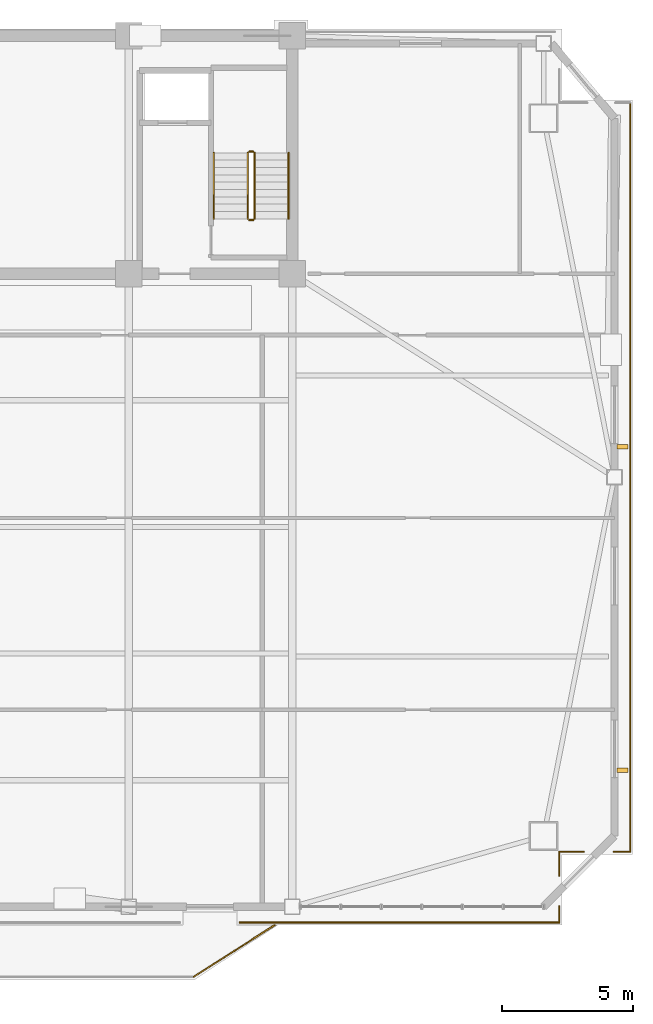
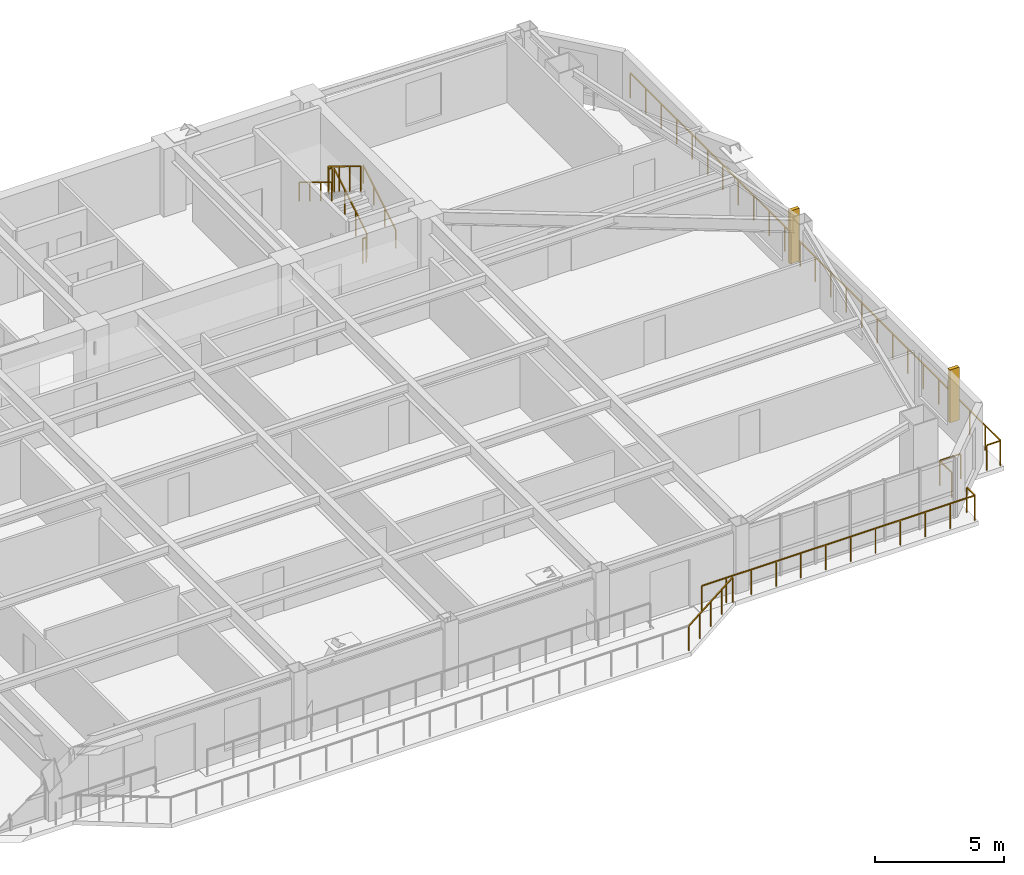
# One storey, part 15 of 16: 13 railings, 2 shading devices.
"""IFC4 building model written with IfcOpenShell, lengths in metres."""

import ifcopenshell
import ifcopenshell.guid

model = None  # the IFC model being written
_history = None  # IfcOwnerHistory: only IFC2X3 demands one
_inside = {}  # id of a spatial element -> (the spatial element, [elements in it])
_under = {}  # id of a project, library or spatial element -> (it, [spatial elements below it])
_declared = {}  # id of a project -> (the project, [libraries it declares])
_typed = {}  # id of a type object -> (the type object, [elements of that type])
_made_of = {}  # id of a material, layer set ... -> (it, [elements and type objects made of it])


def new_model(schema):
    """Start an empty IFC model of exactly this schema.

    Asked for "IFC4X3", IfcOpenShell would pick the latest addendum, in which some entities
    have other attributes; the version numbers below select the first issue.
    IFC2X3 requires an IfcOwnerHistory on every rooted entity: one is made here for all.
    """
    global model, _history
    if schema == "IFC4X3":
        model = ifcopenshell.file(schema_version=(4, 3, 0, 0))
    else:
        model = ifcopenshell.file(schema=schema)
    _inside.clear()
    _under.clear()
    _declared.clear()
    _typed.clear()
    _made_of.clear()
    _history = None
    if model.schema == "IFC2X3":
        org = make("IfcOrganization", Name="unknown")
        user = make(
            "IfcPersonAndOrganization",
            ThePerson=make("IfcPerson", FamilyName="unknown"),
            TheOrganization=org,
        )
        app = make(
            "IfcApplication",
            ApplicationDeveloper=org,
            Version="unknown",
            ApplicationFullName="unknown",
            ApplicationIdentifier="unknown",
        )
        _history = make(
            "IfcOwnerHistory",
            OwningUser=user,
            OwningApplication=app,
            ChangeAction="ADDED",
            CreationDate=0,
        )
    return model


def make(cls, **values):
    """One entity of the class cls with the attributes given. An attribute that is None is left unset."""
    return model.create_entity(
        cls, **{name: value for name, value in values.items() if value is not None}
    )


def rooted(cls, **values):
    """An entity with a GlobalId (a new one), such as an element, a storey or a relation."""
    return make(cls, GlobalId=ifcopenshell.guid.new(), OwnerHistory=_history, **values)


def si_unit(unit_type, name, prefix=None):
    """IfcSIUnit, for example si_unit("LENGTHUNIT", "METRE", prefix="MILLI")."""
    return make("IfcSIUnit", UnitType=unit_type, Prefix=prefix, Name=name)


def assignment(units):
    """IfcUnitAssignment: the units of a project."""
    return None if units is None else make("IfcUnitAssignment", Units=units)


def point(xyz):
    """IfcCartesianPoint."""
    return None if xyz is None else make("IfcCartesianPoint", Coordinates=xyz)


def direction(xyz):
    """IfcDirection."""
    return None if xyz is None else make("IfcDirection", DirectionRatios=xyz)


def frame(location, z_axis=None, x_axis=None):
    """IfcAxis2Placement3D, a coordinate frame: its origin and axes. An axis left out is left unset."""
    return make(
        "IfcAxis2Placement3D",
        Location=point(location),
        Axis=direction(z_axis),
        RefDirection=direction(x_axis),
    )


def frame_2d(location, x_axis=None):
    """IfcAxis2Placement2D, a coordinate frame in the plane: its origin and x axis."""
    return make(
        "IfcAxis2Placement2D", Location=point(location), RefDirection=direction(x_axis)
    )


def origin():
    """The frame at (0, 0, 0) with its axes left unset."""
    return frame((0.0, 0.0, 0.0))


def origin_2d():
    """The frame at (0, 0) in the plane with its x axis left unset."""
    return frame_2d((0.0, 0.0))


def place(relative_to, where):
    """IfcLocalPlacement: puts the frame where relative to a parent placement (None: the world)."""
    return make(
        "IfcLocalPlacement", PlacementRelTo=relative_to, RelativePlacement=where
    )


def context(
    kind, dimensions, precision=None, world=None, true_north=None, identifier=None
):
    """IfcGeometricRepresentationContext, for example the 3D "Model" context."""
    return make(
        "IfcGeometricRepresentationContext",
        ContextIdentifier=identifier,
        ContextType=kind,
        CoordinateSpaceDimension=dimensions,
        Precision=precision,
        WorldCoordinateSystem=world,
        TrueNorth=true_north,
    )


def subcontext(parent, identifier, kind, view, scale=None):
    """IfcGeometricRepresentationSubContext, for example "Body" below "Model"."""
    return make(
        "IfcGeometricRepresentationSubContext",
        ContextIdentifier=identifier,
        ContextType=kind,
        ParentContext=parent,
        TargetScale=scale,
        TargetView=view,
    )


def project(units=None, contexts=None):
    """IfcProject with its units and contexts."""
    return rooted(
        "IfcProject",
        Name="project",
        RepresentationContexts=contexts,
        UnitsInContext=assignment(units),
    )


def spatial(cls, under=None, at=None, **own):
    """A site, building, storey or space (cls), placed at a placement, below another one or the project."""
    s = rooted(cls, ObjectPlacement=at, **own)
    if under is not None:
        _under.setdefault(under.id(), (under, []))[1].append(s)
    return s


def profile(cls, at=None, kind="AREA", **sizes):
    """A parametric profile (cls). Its sizes go by their IFC names, for example OverallWidth=200.0."""
    return make(cls, ProfileType=kind, Position=at, **sizes)


def rectangle(**sizes):
    """IfcRectangleProfileDef."""
    return profile("IfcRectangleProfileDef", **sizes)


def extrude(swept, where, along, depth):
    """IfcExtrudedAreaSolid: the profile swept, set in the frame where, extruded along a direction by depth."""
    return make(
        "IfcExtrudedAreaSolid",
        SweptArea=swept,
        Position=where,
        ExtrudedDirection=direction(along),
        Depth=depth,
    )


def shape(context_of_items, identifier, shape_type, items):
    """IfcShapeRepresentation: the items that make up one representation, for example the "Body"."""
    return make(
        "IfcShapeRepresentation",
        ContextOfItems=context_of_items,
        RepresentationIdentifier=identifier,
        RepresentationType=shape_type,
        Items=items,
    )


def source(mapping_origin, context_of_items, identifier, shape_type, items):
    """IfcRepresentationMap: a shape defined once, which mapped items show again and again."""
    return make(
        "IfcRepresentationMap",
        MappingOrigin=mapping_origin,
        MappedRepresentation=shape(context_of_items, identifier, shape_type, items),
    )


def transform(
    local_origin,
    x_axis=None,
    y_axis=None,
    z_axis=None,
    scale=None,
    scale2=None,
    scale3=None,
    uniform=True,
):
    """IfcCartesianTransformationOperator3D, or its non-uniform kind. x_axis, y_axis, z_axis: its Axis1, 2, 3."""
    if uniform:
        return make(
            "IfcCartesianTransformationOperator3D",
            Axis1=direction(x_axis),
            Axis2=direction(y_axis),
            LocalOrigin=point(local_origin),
            Scale=scale,
            Axis3=direction(z_axis),
        )
    return make(
        "IfcCartesianTransformationOperator3DnonUniform",
        Axis1=direction(x_axis),
        Axis2=direction(y_axis),
        LocalOrigin=point(local_origin),
        Scale=scale,
        Axis3=direction(z_axis),
        Scale2=scale2,
        Scale3=scale3,
    )


def mapped(mapping_source, mapping_target):
    """IfcMappedItem: shows the shape of a source again, moved by a transform."""
    return make(
        "IfcMappedItem", MappingSource=mapping_source, MappingTarget=mapping_target
    )


def material(Name=None, Category=None):
    """IfcMaterial."""
    return make("IfcMaterial", Name=Name, Category=Category)


def made_of(thing, what):
    """Note that an element or type object is made of a material, layer set ...; save() writes the relation."""
    if what is not None:
        _made_of.setdefault(what.id(), (what, []))[1].append(thing)
    return thing


def type_object(cls, material=None, **own):
    """A type object (cls), such as IfcWallType, which elements share."""
    return made_of(rooted(cls, **own), material)


def element(
    cls,
    number,
    at=None,
    inside=None,
    cuts=None,
    type_object=None,
    material=None,
    context=None,
    identifier="Body",
    shape_type=None,
    held_by="IfcProductDefinitionShape",
    body=None,
    shapes=None,
    **own,
):
    """One element of the class cls, such as IfcWall. Its Tag is "e" and its number.

    at: its placement. inside: the storey or other place that contains it. cuts: it is an
    opening in that element (IfcRelVoidsElement). A single representation is given by context,
    identifier, shape_type and body (its items); several are given by shapes. held_by: the class
    of the entity that holds the representations. save() writes the other relations.
    """
    e = rooted(cls, Tag="e%d" % number, ObjectPlacement=at, **own)
    if body is not None:
        shapes = [shape(context, identifier, shape_type, body)]
    if shapes is not None:
        e.Representation = make(held_by, Representations=shapes)
    if inside is not None:
        _inside.setdefault(inside.id(), (inside, []))[1].append(e)
    if cuts is not None:
        rooted(
            "IfcRelVoidsElement", RelatingBuildingElement=cuts, RelatedOpeningElement=e
        )
    if type_object is not None:
        _typed.setdefault(type_object.id(), (type_object, []))[1].append(e)
    return made_of(e, material)


def aggregate(whole, parts):
    """IfcRelAggregates: a whole, such as a stair, and the parts it consists of."""
    return rooted("IfcRelAggregates", RelatingObject=whole, RelatedObjects=parts)


def save(model, path):
    """Write the relations noted so far, then the file.

    IfcRelAggregates (storeys below a building ...), IfcRelContainedInSpatialStructure (elements
    in a storey), IfcRelDefinesByType, IfcRelAssociatesMaterial and IfcRelDeclares: one each for
    every whole, place, type object, material and project.
    """
    for whole, parts in _under.values():
        aggregate(whole, parts)
    for where, things in _inside.values():
        rooted(
            "IfcRelContainedInSpatialStructure",
            RelatedElements=things,
            RelatingStructure=where,
        )
    for kind, things in _typed.values():
        rooted("IfcRelDefinesByType", RelatedObjects=things, RelatingType=kind)
    for what, things in _made_of.values():
        rooted("IfcRelAssociatesMaterial", RelatedObjects=things, RelatingMaterial=what)
    for by, libraries in _declared.values():
        rooted("IfcRelDeclares", RelatingContext=by, RelatedDefinitions=libraries)
    model.write(path)


model = new_model("IFC4")

# Units and contexts
model_context = context("Model", 3, precision=1e-05, world=origin(), true_north=direction((0.0, 1.0)))
body_context = subcontext(model_context, "Body", "Model", "MODEL_VIEW")
ifc_project = project(units=[si_unit("LENGTHUNIT", "METRE"), si_unit("AREAUNIT", "SQUARE_METRE"), si_unit("VOLUMEUNIT", "CUBIC_METRE"), si_unit("PLANEANGLEUNIT", "RADIAN"), si_unit("MASSUNIT", "GRAM", prefix="KILO")], contexts=[model_context])

# Site, building, storey
site_placement = place(None, origin())
site = spatial("IfcSite", under=ifc_project, at=site_placement, CompositionType="ELEMENT")
building_placement = place(site_placement, origin())
building = spatial("IfcBuilding", under=site, at=building_placement, Name="Giltprow Tower", CompositionType="ELEMENT")
storey_placement = place(building_placement, frame((0.0, 0.0, 227.0)))
storey = spatial("IfcBuildingStorey", under=building, at=storey_placement, Name="L57", CompositionType="ELEMENT", Elevation=227.0)

# Railings
ifc_material = material(Name="Anodized bronze", Category="metal")
railing_type_1 = type_object("IfcRailingType", Name="RAIL-BALC-GUARD-1200", PredefinedType="BALUSTRADE", material=ifc_material)
railing_1_placement = place(storey_placement, frame((46.780029296875, 10.570068359375, 0.0)))
element("IfcRailing", 1, at=railing_1_placement, inside=storey, type_object=railing_type_1, Name="L57 Waterfront Balcony Balustrade Seg 3", PredefinedType="BALUSTRADE", context=body_context, shape_type="SweptSolid", body=[
    extrude(rectangle(XDim=0.048095703125, YDim=0.048095703125, at=origin_2d()), frame((0.0, 0.0, 1.17578125), z_axis=(0.842755646126, 0.538296313309, 0.0), x_axis=(-0.538296313309, 0.842755646126, 0.0)), (0.0, 0.0, 1.0), 3.67822265625),
    extrude(rectangle(XDim=0.0419921875, YDim=0.0419921875, at=origin_2d()), origin(), (0.0, 0.0, 1.0), 1.15185546875),
    extrude(rectangle(XDim=0.0419921875, YDim=0.0419921875, at=origin_2d()), frame((0.77490234375, 0.4951171875, 0.0)), (0.0, 0.0, 1.0), 1.15185546875),
    extrude(rectangle(XDim=0.0419921875, YDim=0.0419921875, at=origin_2d()), frame((1.5498046875, 0.989990234375, 0.0)), (0.0, 0.0, 1.0), 1.15185546875),
    extrude(rectangle(XDim=0.0419921875, YDim=0.0419921875, at=origin_2d()), frame((2.324951171875, 1.48486328125, 0.0)), (0.0, 0.0, 1.0), 1.15185546875),
    extrude(rectangle(XDim=0.0419921875, YDim=0.0419921875, at=origin_2d()), frame((3.099853515625, 1.97998046875, 0.0)), (0.0, 0.0, 1.0), 1.15185546875),
])
railing_2_placement = place(storey_placement, frame((63.467041015625, 43.992919921875, 0.0)))
element("IfcRailing", 2, at=railing_2_placement, inside=storey, type_object=railing_type_1, Name="L57 Corner Apron Edge Balustrade 1", PredefinedType="BALUSTRADE", context=body_context, shape_type="SweptSolid", body=[
    extrude(rectangle(XDim=0.048095703125, YDim=0.048095703125, at=origin_2d()), frame((0.0, 0.0, 1.17578125), z_axis=(0.0, -1.0, 0.0), x_axis=(1.0, 0.0, 0.0)), (0.0, 0.0, 1.0), 28.635986328125),
    extrude(rectangle(XDim=0.0419921875, YDim=0.0419921875, at=origin_2d()), origin(), (0.0, 0.0, 1.0), 1.15185546875),
    extrude(rectangle(XDim=0.0419921875, YDim=0.0419921875, at=origin_2d()), frame((0.0, -1.193115234375, 0.0)), (0.0, 0.0, 1.0), 1.15185546875),
    extrude(rectangle(XDim=0.0419921875, YDim=0.0419921875, at=origin_2d()), frame((0.0, -2.38623046875, 0.0)), (0.0, 0.0, 1.0), 1.15185546875),
    extrude(rectangle(XDim=0.0419921875, YDim=0.0419921875, at=origin_2d()), frame((0.0, -3.57958984375, 0.0)), (0.0, 0.0, 1.0), 1.15185546875),
    extrude(rectangle(XDim=0.0419921875, YDim=0.0419921875, at=origin_2d()), frame((0.0, -4.772705078125, 0.0)), (0.0, 0.0, 1.0), 1.15185546875),
    extrude(rectangle(XDim=0.0419921875, YDim=0.0419921875, at=origin_2d()), frame((0.0, -5.9658203125, 0.0)), (0.0, 0.0, 1.0), 1.15185546875),
    extrude(rectangle(XDim=0.0419921875, YDim=0.0419921875, at=origin_2d()), frame((0.0, -7.158935546875, 0.0)), (0.0, 0.0, 1.0), 1.15185546875),
    extrude(rectangle(XDim=0.0419921875, YDim=0.0419921875, at=origin_2d()), frame((0.0, -8.35205078125, 0.0)), (0.0, 0.0, 1.0), 1.15185546875),
    extrude(rectangle(XDim=0.0419921875, YDim=0.0419921875, at=origin_2d()), frame((0.0, -9.54541015625, 0.0)), (0.0, 0.0, 1.0), 1.15185546875),
    extrude(rectangle(XDim=0.0419921875, YDim=0.0419921875, at=origin_2d()), frame((0.0, -10.738525390625, 0.0)), (0.0, 0.0, 1.0), 1.15185546875),
    extrude(rectangle(XDim=0.0419921875, YDim=0.0419921875, at=origin_2d()), frame((0.0, -11.931640625, 0.0)), (0.0, 0.0, 1.0), 1.15185546875),
    extrude(rectangle(XDim=0.0419921875, YDim=0.0419921875, at=origin_2d()), frame((0.0, -13.124755859375, 0.0)), (0.0, 0.0, 1.0), 1.15185546875),
    extrude(rectangle(XDim=0.0419921875, YDim=0.0419921875, at=origin_2d()), frame((0.0, -14.31787109375, 0.0)), (0.0, 0.0, 1.0), 1.15185546875),
    extrude(rectangle(XDim=0.0419921875, YDim=0.0419921875, at=origin_2d()), frame((0.0, -15.51123046875, 0.0)), (0.0, 0.0, 1.0), 1.15185546875),
    extrude(rectangle(XDim=0.0419921875, YDim=0.0419921875, at=origin_2d()), frame((0.0, -16.704345703125, 0.0)), (0.0, 0.0, 1.0), 1.15185546875),
    extrude(rectangle(XDim=0.0419921875, YDim=0.0419921875, at=origin_2d()), frame((0.0, -17.8974609375, 0.0)), (0.0, 0.0, 1.0), 1.15185546875),
    extrude(rectangle(XDim=0.0419921875, YDim=0.0419921875, at=origin_2d()), frame((0.0, -19.090576171875, 0.0)), (0.0, 0.0, 1.0), 1.15185546875),
    extrude(rectangle(XDim=0.0419921875, YDim=0.0419921875, at=origin_2d()), frame((0.0, -20.283935546875, 0.0)), (0.0, 0.0, 1.0), 1.15185546875),
    extrude(rectangle(XDim=0.0419921875, YDim=0.0419921875, at=origin_2d()), frame((0.0, -21.47705078125, 0.0)), (0.0, 0.0, 1.0), 1.15185546875),
    extrude(rectangle(XDim=0.0419921875, YDim=0.0419921875, at=origin_2d()), frame((0.0, -22.670166015625, 0.0)), (0.0, 0.0, 1.0), 1.15185546875),
    extrude(rectangle(XDim=0.0419921875, YDim=0.0419921875, at=origin_2d()), frame((0.0, -23.86328125, 0.0)), (0.0, 0.0, 1.0), 1.15185546875),
    extrude(rectangle(XDim=0.0419921875, YDim=0.0419921875, at=origin_2d()), frame((0.0, -25.056396484375, 0.0)), (0.0, 0.0, 1.0), 1.15185546875),
    extrude(rectangle(XDim=0.0419921875, YDim=0.0419921875, at=origin_2d()), frame((0.0, -26.249755859375, 0.0)), (0.0, 0.0, 1.0), 1.15185546875),
    extrude(rectangle(XDim=0.0419921875, YDim=0.0419921875, at=origin_2d()), frame((0.0, -27.44287109375, 0.0)), (0.0, 0.0, 1.0), 1.15185546875),
    extrude(rectangle(XDim=0.0419921875, YDim=0.0419921875, at=origin_2d()), frame((0.0, -28.635986328125, 0.0)), (0.0, 0.0, 1.0), 1.15185546875),
])
railing_3_placement = place(storey_placement, frame((63.467041015625, 15.35693359375, 0.0)))
element("IfcRailing", 3, at=railing_3_placement, inside=storey, type_object=railing_type_1, Name="L57 Corner Apron Edge Balustrade 2", PredefinedType="BALUSTRADE", context=body_context, shape_type="SweptSolid", body=[
    extrude(rectangle(XDim=0.048095703125, YDim=0.048095703125, at=origin_2d()), frame((0.0, 0.0, 1.17578125), z_axis=(-1.0, 0.0, 0.0), x_axis=(0.0, -1.0, 0.0)), (0.0, 0.0, 1.0), 0.6201171875),
    extrude(rectangle(XDim=0.0419921875, YDim=0.0419921875, at=origin_2d()), origin(), (0.0, 0.0, 1.0), 1.15185546875),
    extrude(rectangle(XDim=0.0419921875, YDim=0.0419921875, at=origin_2d()), frame((-0.6201171875, 0.0, 0.0)), (0.0, 0.0, 1.0), 1.15185546875),
])
railing_4_placement = place(storey_placement, frame((61.68701171875, 15.35693359375, 0.0)))
element("IfcRailing", 4, at=railing_4_placement, inside=storey, type_object=railing_type_1, Name="L57 Corner Apron Edge Balustrade 3", PredefinedType="BALUSTRADE", context=body_context, shape_type="SweptSolid", body=[
    extrude(rectangle(XDim=0.048095703125, YDim=0.048095703125, at=origin_2d()), frame((0.0, 0.0, 1.17578125), z_axis=(-1.0, 0.0, 0.0), x_axis=(0.0, -1.0, 0.0)), (0.0, 0.0, 1.0), 0.927001953125),
    extrude(rectangle(XDim=0.0419921875, YDim=0.0419921875, at=origin_2d()), origin(), (0.0, 0.0, 1.0), 1.15185546875),
    extrude(rectangle(XDim=0.0419921875, YDim=0.0419921875, at=origin_2d()), frame((-0.927001953125, 0.0, 0.0)), (0.0, 0.0, 1.0), 1.15185546875),
])
railing_5_placement = place(storey_placement, frame((60.760009765625, 15.35693359375, 0.0)))
element("IfcRailing", 5, at=railing_5_placement, inside=storey, type_object=railing_type_1, Name="L57 Corner Apron Edge Balustrade 4", PredefinedType="BALUSTRADE", context=body_context, shape_type="SweptSolid", body=[
    extrude(rectangle(XDim=0.048095703125, YDim=0.048095703125, at=origin_2d()), frame((0.0, 0.0, 1.17578125), z_axis=(0.0, -1.0, 0.0), x_axis=(1.0, 0.0, 0.0)), (0.0, 0.0, 1.0), 0.927001953125),
    extrude(rectangle(XDim=0.0419921875, YDim=0.0419921875, at=origin_2d()), origin(), (0.0, 0.0, 1.0), 1.15185546875),
    extrude(rectangle(XDim=0.0419921875, YDim=0.0419921875, at=origin_2d()), frame((0.0, -0.927001953125, 0.0)), (0.0, 0.0, 1.0), 1.15185546875),
])
railing_6_placement = place(storey_placement, frame((60.760009765625, 13.27001953125, 0.0)))
element("IfcRailing", 6, at=railing_6_placement, inside=storey, type_object=railing_type_1, Name="L57 Corner Apron Edge Balustrade 5", PredefinedType="BALUSTRADE", context=body_context, shape_type="SweptSolid", body=[
    extrude(rectangle(XDim=0.048095703125, YDim=0.048095703125, at=origin_2d()), frame((0.0, 0.0, 1.17578125), z_axis=(0.0, -1.0, 0.0), x_axis=(1.0, 0.0, 0.0)), (0.0, 0.0, 1.0), 0.6201171875),
    extrude(rectangle(XDim=0.0419921875, YDim=0.0419921875, at=origin_2d()), origin(), (0.0, 0.0, 1.0), 1.15185546875),
    extrude(rectangle(XDim=0.0419921875, YDim=0.0419921875, at=origin_2d()), frame((0.0, -0.6201171875, 0.0)), (0.0, 0.0, 1.0), 1.15185546875),
])
railing_7_placement = place(storey_placement, frame((60.760009765625, 12.64990234375, 0.0)))
element("IfcRailing", 7, at=railing_7_placement, inside=storey, type_object=railing_type_1, Name="L57 Corner Apron Edge Balustrade 6", PredefinedType="BALUSTRADE", context=body_context, shape_type="SweptSolid", body=[
    extrude(rectangle(XDim=0.048095703125, YDim=0.048095703125, at=origin_2d()), frame((0.0, 0.0, 1.17578125), z_axis=(-1.0, 0.0, 0.0), x_axis=(0.0, -1.0, 0.0)), (0.0, 0.0, 1.0), 12.2099609375),
    extrude(rectangle(XDim=0.0419921875, YDim=0.0419921875, at=origin_2d()), origin(), (0.0, 0.0, 1.0), 1.15185546875),
    extrude(rectangle(XDim=0.0419921875, YDim=0.0419921875, at=origin_2d()), frame((-1.110107421875, 0.0, 0.0)), (0.0, 0.0, 1.0), 1.15185546875),
    extrude(rectangle(XDim=0.0419921875, YDim=0.0419921875, at=origin_2d()), frame((-2.219970703125, 0.0, 0.0)), (0.0, 0.0, 1.0), 1.15185546875),
    extrude(rectangle(XDim=0.0419921875, YDim=0.0419921875, at=origin_2d()), frame((-3.330078125, 0.0, 0.0)), (0.0, 0.0, 1.0), 1.15185546875),
    extrude(rectangle(XDim=0.0419921875, YDim=0.0419921875, at=origin_2d()), frame((-4.43994140625, 0.0, 0.0)), (0.0, 0.0, 1.0), 1.15185546875),
    extrude(rectangle(XDim=0.0419921875, YDim=0.0419921875, at=origin_2d()), frame((-5.550048828125, 0.0, 0.0)), (0.0, 0.0, 1.0), 1.15185546875),
    extrude(rectangle(XDim=0.0419921875, YDim=0.0419921875, at=origin_2d()), frame((-6.659912109375, 0.0, 0.0)), (0.0, 0.0, 1.0), 1.15185546875),
    extrude(rectangle(XDim=0.0419921875, YDim=0.0419921875, at=origin_2d()), frame((-7.77001953125, 0.0, 0.0)), (0.0, 0.0, 1.0), 1.15185546875),
    extrude(rectangle(XDim=0.0419921875, YDim=0.0419921875, at=origin_2d()), frame((-8.8798828125, 0.0, 0.0)), (0.0, 0.0, 1.0), 1.15185546875),
    extrude(rectangle(XDim=0.0419921875, YDim=0.0419921875, at=origin_2d()), frame((-9.989990234375, 0.0, 0.0)), (0.0, 0.0, 1.0), 1.15185546875),
    extrude(rectangle(XDim=0.0419921875, YDim=0.0419921875, at=origin_2d()), frame((-11.099853515625, 0.0, 0.0)), (0.0, 0.0, 1.0), 1.15185546875),
    extrude(rectangle(XDim=0.0419921875, YDim=0.0419921875, at=origin_2d()), frame((-12.2099609375, 0.0, 0.0)), (0.0, 0.0, 1.0), 1.15185546875),
])
railing_type_2 = type_object("IfcRailingType", Name="RAIL-STAIR-GUARD-1200", PredefinedType="GUARDRAIL", material=ifc_material)
railing_8_placement = place(storey_placement, frame((49.110107421875, 39.550048828125, 0.169921875)))
element("IfcRailing", 8, at=railing_8_placement, inside=storey, type_object=railing_type_2, Name="L57 ST-3 stair guard 1", PredefinedType="GUARDRAIL", context=body_context, shape_type="SweptSolid", body=[
    extrude(rectangle(XDim=0.048095703125, YDim=0.048095703125, at=origin_2d()), frame((0.0, 0.0, 1.17578125), z_axis=(0.0, 0.85478489116, 0.518982456201), x_axis=(-1.0, 0.0, 0.0)), (0.0, 0.0, 1.0), 2.9482421875),
    extrude(rectangle(XDim=0.0419921875, YDim=0.0419921875, at=origin_2d()), origin(), (0.0, 0.0, 1.0), 1.15185546875),
    extrude(rectangle(XDim=0.0419921875, YDim=0.0419921875, at=origin_2d()), frame((0.0, 0.840087890625, 0.510009765625)), (0.0, 0.0, 1.0), 1.15185546875),
    extrude(rectangle(XDim=0.0419921875, YDim=0.0419921875, at=origin_2d()), frame((0.0, 1.679931640625, 1.02001953125)), (0.0, 0.0, 1.0), 1.15185546875),
    extrude(rectangle(XDim=0.0419921875, YDim=0.0419921875, at=origin_2d()), frame((0.0, 2.52001953125, 1.530029296875)), (0.0, 0.0, 1.0), 1.15185546875),
])
railing_9_placement = place(storey_placement, frame((49.06005859375, 42.1201171875, 1.699951171875)))
element("IfcRailing", 9, at=railing_9_placement, inside=storey, type_object=railing_type_2, Name="L57 ST-3 stair guard 2", PredefinedType="GUARDRAIL", context=body_context, shape_type="SweptSolid", body=[
    extrude(rectangle(XDim=0.048095703125, YDim=0.048095703125, at=origin_2d()), frame((0.0, 0.0, 1.17578125), z_axis=(-1.0, 0.0, 0.0), x_axis=(0.0, -1.0, 0.0)), (0.0, 0.0, 1.0), 0.16015625),
    extrude(rectangle(XDim=0.0419921875, YDim=0.0419921875, at=origin_2d()), origin(), (0.0, 0.0, 1.0), 1.15185546875),
    extrude(rectangle(XDim=0.0419921875, YDim=0.0419921875, at=origin_2d()), frame((-0.16015625, 0.0, 0.0)), (0.0, 0.0, 1.0), 1.15185546875),
])
railing_10_placement = place(storey_placement, frame((48.85009765625, 42.070068359375, 1.8701171875)))
element("IfcRailing", 10, at=railing_10_placement, inside=storey, type_object=railing_type_2, Name="L57 ST-3 stair guard 3", PredefinedType="GUARDRAIL", context=body_context, shape_type="SweptSolid", body=[
    extrude(rectangle(XDim=0.048095703125, YDim=0.048095703125, at=origin_2d()), frame((0.0, 0.0, 1.17578125), z_axis=(0.0, -0.854821627497, 0.518921945155), x_axis=(1.0, 0.0, 0.0)), (0.0, 0.0, 1.0), 2.947998046875),
    extrude(rectangle(XDim=0.0419921875, YDim=0.0419921875, at=origin_2d()), origin(), (0.0, 0.0, 1.0), 1.15185546875),
    extrude(rectangle(XDim=0.0419921875, YDim=0.0419921875, at=origin_2d()), frame((0.0, -0.840087890625, 0.510009765625)), (0.0, 0.0, 1.0), 1.15185546875),
    extrude(rectangle(XDim=0.0419921875, YDim=0.0419921875, at=origin_2d()), frame((0.0, -1.679931640625, 1.019775390625)), (0.0, 0.0, 1.0), 1.15185546875),
    extrude(rectangle(XDim=0.0419921875, YDim=0.0419921875, at=origin_2d()), frame((0.0, -2.52001953125, 1.52978515625)), (0.0, 0.0, 1.0), 1.15185546875),
])
railing_11_placement = place(storey_placement, frame((49.06005859375, 39.5, 0.0)))
element("IfcRailing", 11, at=railing_11_placement, inside=storey, type_object=railing_type_2, Name="L57 ST-3 stair guard 4", PredefinedType="GUARDRAIL", context=body_context, shape_type="SweptSolid", body=[
    extrude(rectangle(XDim=0.048095703125, YDim=0.048095703125, at=origin_2d()), frame((0.0, 0.0, 1.17578125), z_axis=(-1.0, 0.0, 0.0), x_axis=(0.0, -1.0, 0.0)), (0.0, 0.0, 1.0), 0.16015625),
    extrude(rectangle(XDim=0.0419921875, YDim=0.0419921875, at=origin_2d()), origin(), (0.0, 0.0, 1.0), 1.15185546875),
    extrude(rectangle(XDim=0.0419921875, YDim=0.0419921875, at=origin_2d()), frame((-0.16015625, 0.0, 0.0)), (0.0, 0.0, 1.0), 1.15185546875),
])
railing_type_3 = type_object("IfcRailingType", Name="RAIL-STAIR-HAND-900", PredefinedType="HANDRAIL", material=ifc_material)
railing_12_placement = place(storey_placement, frame((50.409912109375, 39.550048828125, 0.169921875)))
element("IfcRailing", 12, at=railing_12_placement, inside=storey, type_object=railing_type_3, Name="L57 ST-3 stair handrail 1", PredefinedType="HANDRAIL", context=body_context, shape_type="SweptSolid", body=[
    extrude(rectangle(XDim=0.048095703125, YDim=0.048095703125, at=origin_2d()), frame((0.0, 0.0, 0.8759765625), z_axis=(0.0, 0.85478489116, 0.518982456201), x_axis=(-1.0, 0.0, 0.0)), (0.0, 0.0, 1.0), 2.9482421875),
    extrude(rectangle(XDim=0.0419921875, YDim=0.0419921875, at=origin_2d()), origin(), (0.0, 0.0, 1.0), 0.851806640625),
    extrude(rectangle(XDim=0.0419921875, YDim=0.0419921875, at=origin_2d()), frame((0.0, 0.840087890625, 0.510009765625)), (0.0, 0.0, 1.0), 0.851806640625),
    extrude(rectangle(XDim=0.0419921875, YDim=0.0419921875, at=origin_2d()), frame((0.0, 1.679931640625, 1.02001953125)), (0.0, 0.0, 1.0), 0.851806640625),
    extrude(rectangle(XDim=0.0419921875, YDim=0.0419921875, at=origin_2d()), frame((0.0, 2.52001953125, 1.530029296875)), (0.0, 0.0, 1.0), 0.851806640625),
])
railing_13_placement = place(storey_placement, frame((47.550048828125, 42.070068359375, 1.8701171875)))
element("IfcRailing", 13, at=railing_13_placement, inside=storey, type_object=railing_type_3, Name="L57 ST-3 stair handrail 2", PredefinedType="HANDRAIL", context=body_context, shape_type="SweptSolid", body=[
    extrude(rectangle(XDim=0.048095703125, YDim=0.048095703125, at=origin_2d()), frame((0.0, 0.0, 0.8759765625), z_axis=(0.0, -0.854821627497, 0.518921945155), x_axis=(1.0, 0.0, 0.0)), (0.0, 0.0, 1.0), 2.947998046875),
    extrude(rectangle(XDim=0.0419921875, YDim=0.0419921875, at=origin_2d()), origin(), (0.0, 0.0, 1.0), 0.851806640625),
    extrude(rectangle(XDim=0.0419921875, YDim=0.0419921875, at=origin_2d()), frame((0.0, -0.840087890625, 0.510009765625)), (0.0, 0.0, 1.0), 0.851806640625),
    extrude(rectangle(XDim=0.0419921875, YDim=0.0419921875, at=origin_2d()), frame((0.0, -1.679931640625, 1.019775390625)), (0.0, 0.0, 1.0), 0.851806640625),
    extrude(rectangle(XDim=0.0419921875, YDim=0.0419921875, at=origin_2d()), frame((0.0, -2.52001953125, 1.52978515625)), (0.0, 0.0, 1.0), 0.851806640625),
])

# Shading devices
shading_device_type = type_object("IfcShadingDeviceType", Name="SHD-FIN-420", PredefinedType="USERDEFINED", material=ifc_material)
shared_shape = source(origin(), body_context, "Body", "SweptSolid", [
    extrude(rectangle(XDim=0.419921875, YDim=0.159912109375, at=origin_2d()), origin(), (0.0, 0.0, 1.0), 2.5),
])
for number, where, z_axis, x_axis, name in (
    (14, (63.1669921875, 18.466064453125, 0.35009765625), (0.0, 0.0, 1.0), (1.0, 0.0, 0.0), "L57 E Bronze Vertical Fin 1-1"),
    (15, (63.1669921875, 30.839111328125, 0.35009765625), (0.0, 0.0, 1.0), (1.0, 0.0, 0.0), "L57 E Bronze Vertical Fin 2-1"),
):
    element("IfcShadingDevice", number, at=place(storey_placement, frame(where, z_axis=z_axis, x_axis=x_axis)), inside=storey, type_object=shading_device_type, Name=name, ObjectType="FIN", PredefinedType="USERDEFINED", context=body_context, shape_type="MappedRepresentation", body=[
        mapped(shared_shape, transform((0.0, 0.0, 0.0), x_axis=(1.0, 0.0, 0.0), y_axis=(0.0, 1.0, 0.0), z_axis=(0.0, 0.0, 1.0), scale=1.0)),
    ])

save(model, "model.ifc")
